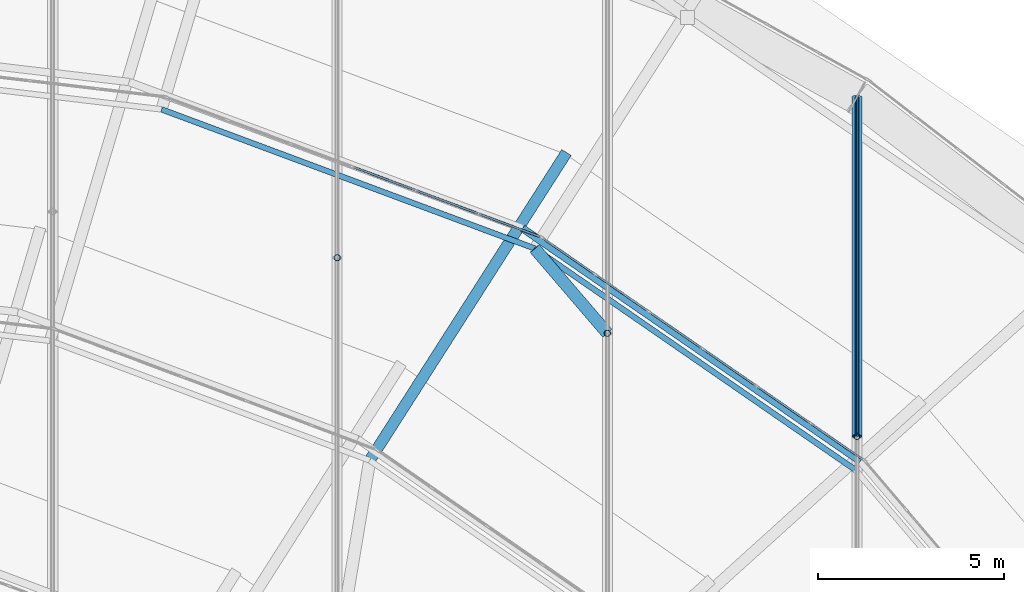
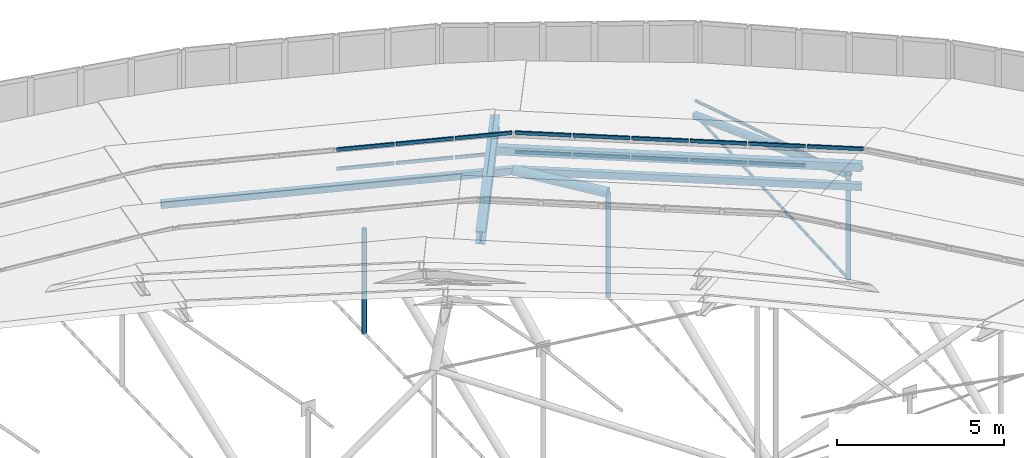
# One storey, part 119 of 173: 29 members, 2 elements without a shape of their own.
"""IFC4 building model written with IfcOpenShell, lengths in metres."""

from ifc_helpers import new_model, si_unit, direction, frame, origin, origin_2d, place, context, subcontext, project, spatial, rectangle, hollow_rectangle, circle, hollow_circle, i_section, extrude, material, material_profile, profile_set, type_object, element, aggregate, save


model = new_model("IFC4")

# Units and contexts
model_context = context("Model", 3, precision=1e-05, world=origin(), true_north=direction((0.0, 1.0)))
body_context = subcontext(model_context, "Body", "Model", "MODEL_VIEW")
ifc_project = project(units=[si_unit("LENGTHUNIT", "METRE"), si_unit("AREAUNIT", "SQUARE_METRE"), si_unit("VOLUMEUNIT", "CUBIC_METRE"), si_unit("PLANEANGLEUNIT", "RADIAN"), si_unit("MASSUNIT", "GRAM", prefix="KILO")], contexts=[model_context])

# Site, building, storey
site_placement = place(None, origin())
site = spatial("IfcSite", under=ifc_project, at=site_placement, CompositionType="ELEMENT")
building_placement = place(site_placement, origin())
building = spatial("IfcBuilding", under=site, at=building_placement, Name="Glasvene Arena", CompositionType="ELEMENT")
storey_placement = place(building_placement, frame((0.0, 0.0, 28.800048828125)))
storey = spatial("IfcBuildingStorey", under=building, at=storey_placement, Name="RF", CompositionType="ELEMENT", Elevation=28.800048828125)

# Curtain wall, members
ifc_material_1 = material(Name="Low-emissivity laminated double glazing", Category="glass")
curtain_wall_type_1 = type_object("IfcCurtainWallType", Name="CW-PET1-1054x75", PredefinedType="USERDEFINED", material=ifc_material_1)
curtain_wall_1_placement = place(storey_placement, frame((121.59228515625, 99.657958984375, 0.0)))
curtain_wall_1 = element("IfcCurtainWall", 1, at=curtain_wall_1_placement, inside=storey, type_object=curtain_wall_type_1, Name="Petal ring 1-2 clerestory curtain wall 04", ObjectType="CURTAIN WALL", PredefinedType="USERDEFINED")
ifc_material_2 = material(Name="Anodised architectural aluminium", Category="aluminium")
ifc_material_profile_1 = material_profile(ifc_material_2, rectangle(XDim=0.050048828125, YDim=0.1201171875, at=origin_2d()), Name="ALU TRANSOM 50x120")
ifc_profile_set_1 = profile_set([ifc_material_profile_1], Name="Anodised architectural aluminium")
member_type_1 = type_object("IfcMemberType", Name="CW-TRN-120", PredefinedType="USERDEFINED", material=ifc_profile_set_1)
member_1_placement = place(storey_placement, frame((121.55126953125, 99.686279296875, 2.60498046875), z_axis=(-0.822547539118, 0.568696356495, 0.0), x_axis=(-0.568696356495, -0.822547539118, 0.0)))
member_1 = element("IfcMember", 2, at=member_1_placement, type_object=member_type_1, Name="CW-084 transom 1.1", ObjectType="TRANSOM", PredefinedType="USERDEFINED", context=body_context, shape_type="SweptSolid", body=[
    extrude(rectangle(XDim=0.050048828125, YDim=0.1201171875, at=origin_2d()), origin(), (0.0, 0.0, 1.0), 1.68115234375),
])
member_2_placement = place(storey_placement, frame((121.55126953125, 99.686279296875, 3.304931640625), z_axis=(-0.822547539118, 0.568696356495, 0.0), x_axis=(-0.568696356495, -0.822547539118, 0.0)))
member_2 = element("IfcMember", 3, at=member_2_placement, type_object=member_type_1, Name="CW-084 transom 1.2", ObjectType="TRANSOM", PredefinedType="USERDEFINED", context=body_context, shape_type="SweptSolid", body=[
    extrude(rectangle(XDim=0.050048828125, YDim=0.1201171875, at=origin_2d()), origin(), (0.0, 0.0, 1.0), 1.68115234375),
])
member_3_placement = place(storey_placement, frame((120.127197265625, 100.670654296875, 2.60498046875), z_axis=(-0.82255264471, 0.56868897183, 0.0), x_axis=(-0.56868897183, -0.82255264471, 0.0)))
member_3 = element("IfcMember", 4, at=member_3_placement, type_object=member_type_1, Name="CW-084 transom 2.1", ObjectType="TRANSOM", PredefinedType="USERDEFINED", context=body_context, shape_type="SweptSolid", body=[
    extrude(rectangle(XDim=0.050048828125, YDim=0.1201171875, at=origin_2d()), origin(), (0.0, 0.0, 1.0), 1.7060546875),
])
member_4_placement = place(storey_placement, frame((120.127197265625, 100.670654296875, 3.304931640625), z_axis=(-0.82255264471, 0.56868897183, 0.0), x_axis=(-0.56868897183, -0.82255264471, 0.0)))
member_4 = element("IfcMember", 5, at=member_4_placement, type_object=member_type_1, Name="CW-084 transom 2.2", ObjectType="TRANSOM", PredefinedType="USERDEFINED", context=body_context, shape_type="SweptSolid", body=[
    extrude(rectangle(XDim=0.050048828125, YDim=0.1201171875, at=origin_2d()), origin(), (0.0, 0.0, 1.0), 1.7060546875),
])
member_5_placement = place(storey_placement, frame((118.6826171875, 101.669189453125, 2.60498046875), z_axis=(-0.82255264471, 0.56868897183, 0.0), x_axis=(-0.56868897183, -0.82255264471, 0.0)))
member_5 = element("IfcMember", 6, at=member_5_placement, type_object=member_type_1, Name="CW-084 transom 3.1", ObjectType="TRANSOM", PredefinedType="USERDEFINED", context=body_context, shape_type="SweptSolid", body=[
    extrude(rectangle(XDim=0.050048828125, YDim=0.1201171875, at=origin_2d()), origin(), (0.0, 0.0, 1.0), 1.7060546875),
])
member_6_placement = place(storey_placement, frame((118.6826171875, 101.669189453125, 3.304931640625), z_axis=(-0.82255264471, 0.56868897183, 0.0), x_axis=(-0.56868897183, -0.82255264471, 0.0)))
member_6 = element("IfcMember", 7, at=member_6_placement, type_object=member_type_1, Name="CW-084 transom 3.2", ObjectType="TRANSOM", PredefinedType="USERDEFINED", context=body_context, shape_type="SweptSolid", body=[
    extrude(rectangle(XDim=0.050048828125, YDim=0.1201171875, at=origin_2d()), origin(), (0.0, 0.0, 1.0), 1.7060546875),
])
member_7_placement = place(storey_placement, frame((117.238037109375, 102.667724609375, 2.60498046875), z_axis=(-0.82255264471, 0.56868897183, 0.0), x_axis=(-0.56868897183, -0.82255264471, 0.0)))
member_7 = element("IfcMember", 8, at=member_7_placement, type_object=member_type_1, Name="CW-084 transom 4.1", ObjectType="TRANSOM", PredefinedType="USERDEFINED", context=body_context, shape_type="SweptSolid", body=[
    extrude(rectangle(XDim=0.050048828125, YDim=0.1201171875, at=origin_2d()), origin(), (0.0, 0.0, 1.0), 1.7060546875),
])
member_8_placement = place(storey_placement, frame((117.238037109375, 102.667724609375, 3.304931640625), z_axis=(-0.82255264471, 0.56868897183, 0.0), x_axis=(-0.56868897183, -0.82255264471, 0.0)))
member_8 = element("IfcMember", 9, at=member_8_placement, type_object=member_type_1, Name="CW-084 transom 4.2", ObjectType="TRANSOM", PredefinedType="USERDEFINED", context=body_context, shape_type="SweptSolid", body=[
    extrude(rectangle(XDim=0.050048828125, YDim=0.1201171875, at=origin_2d()), origin(), (0.0, 0.0, 1.0), 1.7060546875),
])
member_9_placement = place(storey_placement, frame((115.79345703125, 103.666259765625, 2.60498046875), z_axis=(-0.82255264471, 0.56868897183, 0.0), x_axis=(-0.56868897183, -0.82255264471, 0.0)))
member_9 = element("IfcMember", 10, at=member_9_placement, type_object=member_type_1, Name="CW-084 transom 5.1", ObjectType="TRANSOM", PredefinedType="USERDEFINED", context=body_context, shape_type="SweptSolid", body=[
    extrude(rectangle(XDim=0.050048828125, YDim=0.1201171875, at=origin_2d()), origin(), (0.0, 0.0, 1.0), 1.7060546875),
])
member_10_placement = place(storey_placement, frame((115.79345703125, 103.666259765625, 3.304931640625), z_axis=(-0.82255264471, 0.56868897183, 0.0), x_axis=(-0.56868897183, -0.82255264471, 0.0)))
member_10 = element("IfcMember", 11, at=member_10_placement, type_object=member_type_1, Name="CW-084 transom 5.2", ObjectType="TRANSOM", PredefinedType="USERDEFINED", context=body_context, shape_type="SweptSolid", body=[
    extrude(rectangle(XDim=0.050048828125, YDim=0.1201171875, at=origin_2d()), origin(), (0.0, 0.0, 1.0), 1.7060546875),
])
member_11_placement = place(storey_placement, frame((114.34912109375, 104.664794921875, 2.60498046875), z_axis=(-0.822594498335, 0.568628429917, 0.0), x_axis=(-0.568628429917, -0.822594498335, 0.0)))
member_11 = element("IfcMember", 12, at=member_11_placement, type_object=member_type_1, Name="CW-084 transom 6.1", ObjectType="TRANSOM", PredefinedType="USERDEFINED", context=body_context, shape_type="SweptSolid", body=[
    extrude(rectangle(XDim=0.050048828125, YDim=0.1201171875, at=origin_2d()), origin(), (0.0, 0.0, 1.0), 1.681396484375),
])
member_12_placement = place(storey_placement, frame((114.34912109375, 104.664794921875, 3.304931640625), z_axis=(-0.822594498335, 0.568628429917, 0.0), x_axis=(-0.568628429917, -0.822594498335, 0.0)))
member_12 = element("IfcMember", 13, at=member_12_placement, type_object=member_type_1, Name="CW-084 transom 6.2", ObjectType="TRANSOM", PredefinedType="USERDEFINED", context=body_context, shape_type="SweptSolid", body=[
    extrude(rectangle(XDim=0.050048828125, YDim=0.1201171875, at=origin_2d()), origin(), (0.0, 0.0, 1.0), 1.681396484375),
])
aggregate(curtain_wall_1, [member_1, member_2, member_3, member_4, member_5, member_6, member_7, member_8, member_9, member_10, member_11, member_12])

curtain_wall_type_2 = type_object("IfcCurtainWallType", Name="CW-PET1-1077x75", PredefinedType="USERDEFINED", material=ifc_material_1)
curtain_wall_2_placement = place(storey_placement, frame((112.925048828125, 105.649169921875, 0.0)))
curtain_wall_2 = element("IfcCurtainWall", 14, at=curtain_wall_2_placement, inside=storey, type_object=curtain_wall_type_2, Name="Petal ring 1-2 clerestory curtain wall 05", ObjectType="CURTAIN WALL", PredefinedType="USERDEFINED")
member_13_placement = place(storey_placement, frame((112.878173828125, 105.666748046875, 2.60498046875), z_axis=(-0.936940045398, 0.349490130519, 0.0), x_axis=(-0.349490130519, -0.936940045398, 0.0)))
member_13 = element("IfcMember", 15, at=member_13_placement, type_object=member_type_1, Name="CW-085 transom 1.1", ObjectType="TRANSOM", PredefinedType="USERDEFINED", context=body_context, shape_type="SweptSolid", body=[
    extrude(rectangle(XDim=0.050048828125, YDim=0.1201171875, at=origin_2d()), origin(), (0.0, 0.0, 1.0), 1.720458984375),
])
member_14_placement = place(storey_placement, frame((112.878173828125, 105.666748046875, 3.304931640625), z_axis=(-0.936940045398, 0.349490130519, 0.0), x_axis=(-0.349490130519, -0.936940045398, 0.0)))
member_14 = element("IfcMember", 16, at=member_14_placement, type_object=member_type_1, Name="CW-085 transom 1.2", ObjectType="TRANSOM", PredefinedType="USERDEFINED", context=body_context, shape_type="SweptSolid", body=[
    extrude(rectangle(XDim=0.050048828125, YDim=0.1201171875, at=origin_2d()), origin(), (0.0, 0.0, 1.0), 1.720458984375),
])
member_15_placement = place(storey_placement, frame((111.21923828125, 106.28564453125, 2.60498046875), z_axis=(-0.936914217078, 0.349559365255, 0.0), x_axis=(-0.349559365255, -0.936914217078, 0.0)))
member_15 = element("IfcMember", 17, at=member_15_placement, type_object=member_type_1, Name="CW-085 transom 2.1", ObjectType="TRANSOM", PredefinedType="USERDEFINED", context=body_context, shape_type="SweptSolid", body=[
    extrude(rectangle(XDim=0.050048828125, YDim=0.1201171875, at=origin_2d()), origin(), (0.0, 0.0, 1.0), 1.745361328125),
])
member_16_placement = place(storey_placement, frame((111.21923828125, 106.28564453125, 3.304931640625), z_axis=(-0.936914217078, 0.349559365255, 0.0), x_axis=(-0.349559365255, -0.936914217078, 0.0)))
member_16 = element("IfcMember", 18, at=member_16_placement, type_object=member_type_1, Name="CW-085 transom 2.2", ObjectType="TRANSOM", PredefinedType="USERDEFINED", context=body_context, shape_type="SweptSolid", body=[
    extrude(rectangle(XDim=0.050048828125, YDim=0.1201171875, at=origin_2d()), origin(), (0.0, 0.0, 1.0), 1.745361328125),
])
member_17_placement = place(storey_placement, frame((109.537109375, 106.913330078125, 2.60498046875), z_axis=(-0.936885499629, 0.349636326179, 0.0), x_axis=(-0.349636326179, -0.936885499629, 0.0)))
member_17 = element("IfcMember", 19, at=member_17_placement, type_object=member_type_1, Name="CW-085 transom 3.1", ObjectType="TRANSOM", PredefinedType="USERDEFINED", context=body_context, shape_type="SweptSolid", body=[
    extrude(rectangle(XDim=0.050048828125, YDim=0.1201171875, at=origin_2d()), origin(), (0.0, 0.0, 1.0), 1.74560546875),
])
member_18_placement = place(storey_placement, frame((109.537109375, 106.913330078125, 3.304931640625), z_axis=(-0.936885499629, 0.349636326179, 0.0), x_axis=(-0.349636326179, -0.936885499629, 0.0)))
member_18 = element("IfcMember", 20, at=member_18_placement, type_object=member_type_1, Name="CW-085 transom 3.2", ObjectType="TRANSOM", PredefinedType="USERDEFINED", context=body_context, shape_type="SweptSolid", body=[
    extrude(rectangle(XDim=0.050048828125, YDim=0.1201171875, at=origin_2d()), origin(), (0.0, 0.0, 1.0), 1.74560546875),
])
aggregate(curtain_wall_2, [member_13, member_14, member_15, member_16, member_17, member_18])

# Members
ifc_material_3 = material(Name="High-strength steel spiral strand S460", Category="steel")
ifc_material_profile_2 = material_profile(ifc_material_3, circle(Radius=0.052490234375, at=origin_2d()), Name="LCSS D105")
ifc_profile_set_2 = profile_set([ifc_material_profile_2], Name="High-strength steel spiral strand S460")
member_type_2 = type_object("IfcMemberType", Name="MB-CABLE-105", PredefinedType="USERDEFINED", material=ifc_profile_set_2)
member_19_placement = place(storey_placement, frame((121.389404296875, 100.30419921875, 2.06103515625), z_axis=(0.0, 0.954574697711, -0.297971720957), x_axis=(-1.0, 0.0, 0.0)))
element("IfcMember", 21, at=member_19_placement, inside=storey, type_object=member_type_2, Name="Upper lens roof cable NS01-08", ObjectType="ROOF CABLE", PredefinedType="USERDEFINED", context=body_context, shape_type="SweptSolid", body=[
    extrude(circle(Radius=0.052490234375, at=origin_2d()), origin(), (0.0, 0.0, 1.0), 9.53466796875),
])
ifc_material_profile_3 = material_profile(ifc_material_3, circle(Radius=0.044921875, at=origin_2d()), Name="LCSS D90")
ifc_profile_set_3 = profile_set([ifc_material_profile_3], Name="High-strength steel spiral strand S460")
member_type_3 = type_object("IfcMemberType", Name="MB-CABLE-90", PredefinedType="USERDEFINED", material=ifc_profile_set_3)
member_20_placement = place(storey_placement, frame((121.389404296875, 100.30419921875, -1.753173828125), z_axis=(0.0, 0.998869713277, 0.04753205127), x_axis=(-1.0, 0.0, 0.0)))
element("IfcMember", 22, at=member_20_placement, inside=storey, type_object=member_type_3, Name="Lower stabilization roof cable NS01-08", ObjectType="ROOF CABLE", PredefinedType="USERDEFINED", context=body_context, shape_type="SweptSolid", body=[
    extrude(circle(Radius=0.044921875, at=origin_2d()), origin(), (0.0, 0.0, 1.0), 9.11181640625),
])
ifc_material_4 = material(Name="Steel S355J2", Category="steel")
ifc_material_profile_4 = material_profile(ifc_material_4, i_section(OverallWidth=0.300048828125, OverallDepth=0.39990234375, WebThickness=0.013427734375, FlangeThickness=0.02392578125, FilletRadius=0.027099609375, at=origin_2d()), Name="HEB 400")
ifc_profile_set_4 = profile_set([ifc_material_profile_4], Name="Steel S355J2")
member_type_4 = type_object("IfcMemberType", Name="MB-CHORD-HEB400", PredefinedType="CHORD", material=ifc_profile_set_4)
member_21_placement = place(storey_placement, frame((113.574951171875, 107.876708984375, 2.14990234375), z_axis=(-0.520991039955, -0.815187198725, 0.253057636362), x_axis=(0.842613245104, -0.538519191093, 0.0)))
element("IfcMember", 23, at=member_21_placement, inside=storey, type_object=member_type_4, Name="Petal ring 2 radial rib 05", PredefinedType="CHORD", context=body_context, shape_type="SweptSolid", body=[
    extrude(i_section(OverallWidth=0.300048828125, OverallDepth=0.39990234375, WebThickness=0.013427734375, FlangeThickness=0.02392578125, FilletRadius=0.027099609375, at=origin_2d()), origin(), (0.0, 0.0, 1.0), 10.076904296875),
])
ifc_material_profile_5 = material_profile(ifc_material_4, hollow_circle(Radius=0.161865234375, WallThickness=0.01611328125, at=origin_2d()), Name="CHS 323.9x16.0")
ifc_profile_set_5 = profile_set([ifc_material_profile_5], Name="Steel S355J2")
member_type_5 = type_object("IfcMemberType", Name="MB-POST-CHS324", PredefinedType="BRACE", material=ifc_profile_set_5)
member_22_placement = place(storey_placement, frame((114.699462890625, 103.071533203125, 2.06103515625), z_axis=(-0.650215542627, 0.758679800959, 0.040307663569), x_axis=(-0.759296869451, -0.650744392247, 0.0)))
element("IfcMember", 24, at=member_22_placement, inside=storey, type_object=member_type_5, Name="Petal ring 1 ridge support post 05", PredefinedType="BRACE", context=body_context, shape_type="SweptSolid", body=[
    extrude(hollow_circle(Radius=0.161865234375, WallThickness=0.01611328125, at=origin_2d()), origin(), (0.0, 0.0, 1.0), 2.998291015625),
])
ifc_material_profile_6 = material_profile(ifc_material_4, hollow_rectangle(XDim=0.14990234375, YDim=0.25, WallThickness=0.010009765625, at=origin_2d()), Name="RHS 250x150x10.0")
ifc_profile_set_6 = profile_set([ifc_material_profile_6], Name="Steel S355J2")
member_type_6 = type_object("IfcMemberType", Name="MB-PURLIN-RHS250", PredefinedType="PURLIN", material=ifc_profile_set_6)
member_23_placement = place(storey_placement, frame((121.344970703125, 99.410400390625, 2.181884765625), z_axis=(-0.822844597344, 0.568266459174, 0.0), x_axis=(-0.568266459174, -0.822844597344, 0.0)))
element("IfcMember", 25, at=member_23_placement, inside=storey, type_object=member_type_6, Name="Petal ring 1 ridge purlin 04", PredefinedType="PURLIN", context=body_context, shape_type="SweptSolid", body=[
    extrude(hollow_rectangle(XDim=0.14990234375, YDim=0.25, WallThickness=0.010009765625, at=origin_2d()), origin(), (0.0, 0.0, 1.0), 10.445556640625),
])
member_24_placement = place(storey_placement, frame((112.75, 105.34619140625, 2.181884765625), z_axis=(-0.937010256553, 0.349301845279, 0.0), x_axis=(-0.349301845279, -0.937010256553, 0.0)))
element("IfcMember", 26, at=member_24_placement, inside=storey, type_object=member_type_6, Name="Petal ring 1 ridge purlin 05", PredefinedType="PURLIN", context=body_context, shape_type="SweptSolid", body=[
    extrude(hollow_rectangle(XDim=0.14990234375, YDim=0.25, WallThickness=0.010009765625, at=origin_2d()), origin(), (0.0, 0.0, 1.0), 10.681884765625),
])
ifc_material_profile_7 = material_profile(ifc_material_4, hollow_rectangle(XDim=0.199951171875, YDim=0.300048828125, WallThickness=0.012451171875, at=origin_2d()), Name="RHS 300x200x12.5")
ifc_profile_set_7 = profile_set([ifc_material_profile_7], Name="Steel S355J2")
member_type_7 = type_object("IfcMemberType", Name="MB-PURLIN-RHS300", PredefinedType="PURLIN", material=ifc_profile_set_7)
member_25_placement = place(storey_placement, frame((121.48583984375, 99.639404296875, 2.728515625), z_axis=(-0.823359706308, 0.567519862233, 0.0), x_axis=(-0.567519862233, -0.823359706308, 0.0)))
element("IfcMember", 27, at=member_25_placement, inside=storey, type_object=member_type_7, Name="Petal ring 2 outer purlin 04", PredefinedType="PURLIN", context=body_context, shape_type="SweptSolid", body=[
    extrude(hollow_rectangle(XDim=0.199951171875, YDim=0.300048828125, WallThickness=0.012451171875, at=origin_2d()), origin(), (0.0, 0.0, 1.0), 11.004638671875),
])
ifc_material_profile_8 = material_profile(ifc_material_4, hollow_circle(Radius=0.084228515625, WallThickness=0.008056640625, at=origin_2d()), Name="CHS 168.3x8.0")
ifc_profile_set_8 = profile_set([ifc_material_profile_8], Name="Steel S355J2")
member_type_8 = type_object("IfcMemberType", Name="MB-WEB-CHS168", PredefinedType="BRACE", material=ifc_profile_set_8)
for number, where, z_axis, x_axis, name in (
    (28, (121.389404296875, 100.30419921875, -1.753173828125), (0.0, 0.0, 1.0), (1.0, 0.0, 0.0), "Cable-truss vertical strut NS01-07"),
    (29, (114.699462890625, 103.071533203125, -1.753173828125), (0.0, 0.0, 1.0), (1.0, 0.0, 0.0), "Cable-truss vertical strut NS02-07"),
    (30, (107.45068359375, 105.09814453125, -1.753173828125), (0.0, 0.0, 1.0), (1.0, 0.0, 0.0), "Cable-truss vertical strut NS03-07"),
):
    element("IfcMember", number, at=place(storey_placement, frame(where, z_axis=z_axis, x_axis=x_axis)), inside=storey, type_object=member_type_8, Name=name, PredefinedType="BRACE", context=body_context, shape_type="SweptSolid", body=[
        extrude(hollow_circle(Radius=0.084228515625, WallThickness=0.008056640625, at=origin_2d()), origin(), (0.0, 0.0, 1.0), 3.814208984375),
    ])
ifc_material_profile_9 = material_profile(ifc_material_4, hollow_circle(Radius=0.136474609375, WallThickness=0.012451171875, at=origin_2d()), Name="CHS 273.0x12.5")
ifc_profile_set_9 = profile_set([ifc_material_profile_9], Name="Steel S355J2")
member_type_9 = type_object("IfcMemberType", Name="MB-WEB-CHS273", PredefinedType="BRACE", material=ifc_profile_set_9)
member_26_placement = place(storey_placement, frame((121.389404296875, 100.30419921875, 2.06103515625), z_axis=(0.0, 0.937407683705, -0.348233879067), x_axis=(-1.0, 0.0, 0.0)))
element("IfcMember", 31, at=member_26_placement, inside=storey, type_object=member_type_9, Name="Cable-truss diagonal web strut NS01-08", PredefinedType="BRACE", context=body_context, shape_type="SweptSolid", body=[
    extrude(hollow_circle(Radius=0.136474609375, WallThickness=0.012451171875, at=origin_2d()), origin(), (0.0, 0.0, 1.0), 9.709228515625),
])

save(model, "model.ifc")
